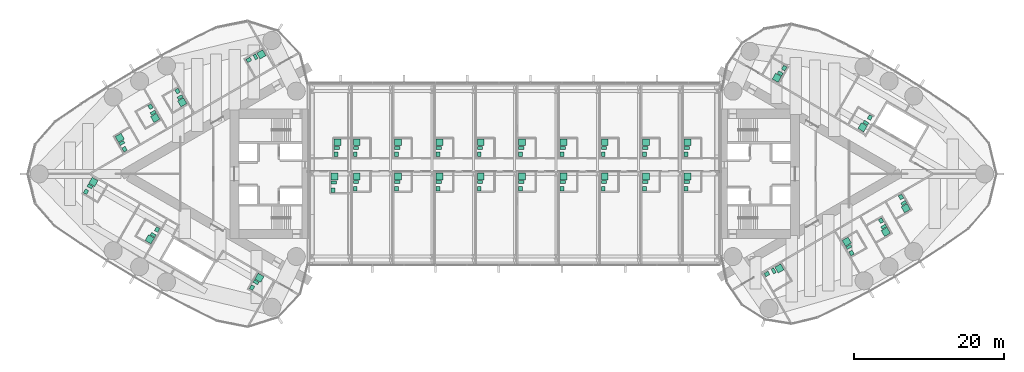
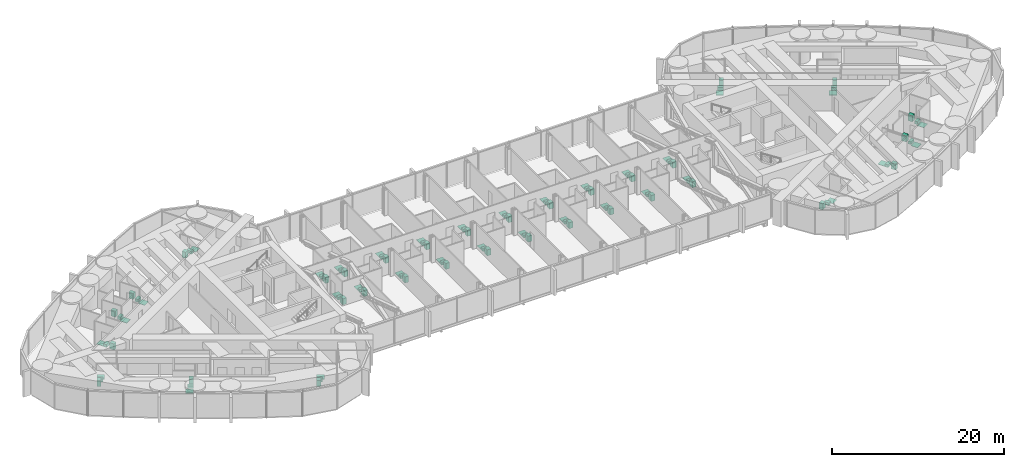
# One storey, part 23 of 23: 39 sanitary terminals.
"""IFC4 building model written with IfcOpenShell, lengths in metres."""

from ifc_helpers import new_model, si_unit, direction, frame, origin, origin_2d, place, context, subcontext, project, spatial, rectangle, extrude, material, type_object, element, save


model = new_model("IFC4")

# Units and contexts
model_context = context("Model", 3, precision=1e-05, world=origin(), true_north=direction((0.0, 1.0)))
body_context = subcontext(model_context, "Body", "Model", "MODEL_VIEW")
ifc_project = project(units=[si_unit("LENGTHUNIT", "METRE"), si_unit("AREAUNIT", "SQUARE_METRE"), si_unit("VOLUMEUNIT", "CUBIC_METRE"), si_unit("PLANEANGLEUNIT", "RADIAN"), si_unit("MASSUNIT", "GRAM", prefix="KILO")], contexts=[model_context])

# Site, building, storey
site_placement = place(None, origin())
site = spatial("IfcSite", under=ifc_project, at=site_placement, CompositionType="ELEMENT")
building_placement = place(site_placement, origin())
building = spatial("IfcBuilding", under=site, at=building_placement, Name="Lancet Gate Hotel", CompositionType="ELEMENT")
storey_placement = place(building_placement, frame((0.0, 0.0, 222.5)))
storey = spatial("IfcBuildingStorey", under=building, at=storey_placement, Name="L59", CompositionType="ELEMENT", Elevation=222.5)

# Sanitary terminals
ifc_material_1 = material(Name="Vitreous china sanitary ware")
sanitary_terminal_type_1 = type_object("IfcSanitaryTerminalType", Name="En-suite sanitary set (shower, WC, basin)", PredefinedType="USERDEFINED", material=ifc_material_1)
sanitary_terminal_1_placement = place(storey_placement, frame((-44.22412109375, 9.51708984375, 0.0), z_axis=(0.0, 0.0, 1.0), x_axis=(1.0, 0.0, 0.0)))
element("IfcSanitaryTerminal", 1, at=sanitary_terminal_1_placement, inside=storey, type_object=sanitary_terminal_type_1, Name="En-suite sanitary set (shower, WC, basin) 5903", ObjectType="EN-SUITE SANITARY SET", PredefinedType="USERDEFINED", context=body_context, shape_type="SweptSolid", body=[
    extrude(rectangle(XDim=0.89990234375, YDim=0.89990234375, at=origin_2d()), frame((0.0, 0.0, 0.0), z_axis=(0.0, 0.0, 1.0), x_axis=(0.5, -0.866025403784, 0.0)), (0.0, 0.0, 1.0), 0.050048828125),
    extrude(rectangle(XDim=0.39990234375, YDim=0.699951171875, at=origin_2d()), frame((-0.2783203125, 0.682373046875, 0.0), z_axis=(0.0, 0.0, 1.0), x_axis=(0.5, -0.866025403784, 0.0)), (0.0, 0.0, 1.0), 0.39990234375),
    extrude(rectangle(XDim=0.60009765625, YDim=0.5, at=origin_2d()), frame((-0.631591796875, 1.494384765625, 0.0), z_axis=(0.0, 0.0, 1.0), x_axis=(0.5, -0.866025403784, 0.0)), (0.0, 0.0, 1.0), 0.85009765625),
])
sanitary_terminal_2_placement = place(storey_placement, frame((-47.817138671875, 7.442626953125, 0.0), z_axis=(0.0, 0.0, 1.0), x_axis=(1.0, 0.0, 0.0)))
element("IfcSanitaryTerminal", 2, at=sanitary_terminal_2_placement, inside=storey, type_object=sanitary_terminal_type_1, Name="En-suite sanitary set (shower, WC, basin) 5904", ObjectType="EN-SUITE SANITARY SET", PredefinedType="USERDEFINED", context=body_context, shape_type="SweptSolid", body=[
    extrude(rectangle(XDim=0.89990234375, YDim=0.89990234375, at=origin_2d()), frame((0.0, 0.0, 0.0), z_axis=(0.0, 0.0, 1.0), x_axis=(0.5, -0.866025403784, 0.0)), (0.0, 0.0, 1.0), 0.050048828125),
    extrude(rectangle(XDim=0.39990234375, YDim=0.699951171875, at=origin_2d()), frame((-0.278564453125, 0.68212890625, 0.0), z_axis=(0.0, 0.0, 1.0), x_axis=(0.5, -0.866025403784, 0.0)), (0.0, 0.0, 1.0), 0.39990234375),
    extrude(rectangle(XDim=0.60009765625, YDim=0.5, at=origin_2d()), frame((-0.6318359375, 1.494384765625, 0.0), z_axis=(0.0, 0.0, 1.0), x_axis=(0.5, -0.866025403784, 0.0)), (0.0, 0.0, 1.0), 0.85009765625),
])
sanitary_terminal_3_placement = place(storey_placement, frame((-52.531005859375, 4.790283203125, 0.0), z_axis=(0.0, 0.0, 1.0), x_axis=(1.0, 0.0, 0.0)))
element("IfcSanitaryTerminal", 3, at=sanitary_terminal_3_placement, inside=storey, type_object=sanitary_terminal_type_1, Name="En-suite sanitary set (shower, WC, basin) 5905", ObjectType="EN-SUITE SANITARY SET", PredefinedType="USERDEFINED", context=body_context, shape_type="SweptSolid", body=[
    extrude(rectangle(XDim=0.89990234375, YDim=0.89990234375, at=origin_2d()), frame((0.0, 0.0, 0.0), z_axis=(0.0, 0.0, 1.0), x_axis=(-0.5, 0.866025403784, 0.0)), (0.0, 0.0, 1.0), 0.050048828125),
    extrude(rectangle(XDim=0.39990234375, YDim=0.699951171875, at=origin_2d()), frame((0.2783203125, -0.68212890625, 0.0), z_axis=(0.0, 0.0, 1.0), x_axis=(-0.5, 0.866025403784, 0.0)), (0.0, 0.0, 1.0), 0.39990234375),
    extrude(rectangle(XDim=0.60009765625, YDim=0.5, at=origin_2d()), frame((0.631591796875, -1.494384765625, 0.0), z_axis=(0.0, 0.0, 1.0), x_axis=(-0.5, 0.866025403784, 0.0)), (0.0, 0.0, 1.0), 0.85009765625),
])
sanitary_terminal_4_placement = place(storey_placement, frame((-56.0458984375, -1.0751953125, 0.0), z_axis=(0.0, 0.0, 1.0), x_axis=(1.0, 0.0, 0.0)))
element("IfcSanitaryTerminal", 4, at=sanitary_terminal_4_placement, inside=storey, type_object=sanitary_terminal_type_1, Name="En-suite sanitary set (shower, WC, basin) 5906", ObjectType="EN-SUITE SANITARY SET", PredefinedType="USERDEFINED", context=body_context, shape_type="SweptSolid", body=[
    extrude(rectangle(XDim=0.89990234375, YDim=0.89990234375, at=origin_2d()), frame((0.0, 0.0, 0.0), z_axis=(0.0, 0.0, 1.0), x_axis=(0.5, 0.866025403784, 0.0)), (0.0, 0.0, 1.0), 0.050048828125),
    extrude(rectangle(XDim=0.39990234375, YDim=0.699951171875, at=origin_2d()), frame((-0.45166015625, -0.582275390625, 0.0), z_axis=(0.0, 0.0, 1.0), x_axis=(0.5, 0.866025403784, 0.0)), (0.0, 0.0, 1.0), 0.39990234375),
    extrude(rectangle(XDim=0.60009765625, YDim=0.5, at=origin_2d()), frame((-0.978271484375, -1.294189453125, 0.0), z_axis=(0.0, 0.0, 1.0), x_axis=(0.5, 0.866025403784, 0.0)), (0.0, 0.0, 1.0), 0.85009765625),
])
sanitary_terminal_5_placement = place(storey_placement, frame((-48.547119140625, -8.70703125, 0.0), z_axis=(0.0, 0.0, 1.0), x_axis=(1.0, 0.0, 0.0)))
element("IfcSanitaryTerminal", 5, at=sanitary_terminal_5_placement, inside=storey, type_object=sanitary_terminal_type_1, Name="En-suite sanitary set (shower, WC, basin) 5907", ObjectType="EN-SUITE SANITARY SET", PredefinedType="USERDEFINED", context=body_context, shape_type="SweptSolid", body=[
    extrude(rectangle(XDim=0.89990234375, YDim=0.89990234375, at=origin_2d()), frame((0.0, 0.0, 0.0), z_axis=(0.0, 0.0, 1.0), x_axis=(-0.5, -0.866025403784, 0.0)), (0.0, 0.0, 1.0), 0.050048828125),
    extrude(rectangle(XDim=0.39990234375, YDim=0.699951171875, at=origin_2d()), frame((0.451416015625, 0.582275390625, 0.0), z_axis=(0.0, 0.0, 1.0), x_axis=(-0.5, -0.866025403784, 0.0)), (0.0, 0.0, 1.0), 0.39990234375),
    extrude(rectangle(XDim=0.60009765625, YDim=0.5, at=origin_2d()), frame((0.97802734375, 1.29443359375, 0.0), z_axis=(0.0, 0.0, 1.0), x_axis=(-0.5, -0.866025403784, 0.0)), (0.0, 0.0, 1.0), 0.85009765625),
])
sanitary_terminal_6_placement = place(storey_placement, frame((-33.95654296875, -13.82861328125, 0.0), z_axis=(0.0, 0.0, 1.0), x_axis=(1.0, 0.0, 0.0)))
element("IfcSanitaryTerminal", 6, at=sanitary_terminal_6_placement, inside=storey, type_object=sanitary_terminal_type_1, Name="En-suite sanitary set (shower, WC, basin) 5909", ObjectType="EN-SUITE SANITARY SET", PredefinedType="USERDEFINED", context=body_context, shape_type="SweptSolid", body=[
    extrude(rectangle(XDim=0.89990234375, YDim=0.89990234375, at=origin_2d()), frame((0.0, 0.0, 0.0), z_axis=(0.0, 0.0, 1.0), x_axis=(0.5, 0.866025403784, 0.0)), (0.0, 0.0, 1.0), 0.050048828125),
    extrude(rectangle(XDim=0.39990234375, YDim=0.699951171875, at=origin_2d()), frame((-0.45166015625, -0.582275390625, 0.0), z_axis=(0.0, 0.0, 1.0), x_axis=(0.5, 0.866025403784, 0.0)), (0.0, 0.0, 1.0), 0.39990234375),
    extrude(rectangle(XDim=0.60009765625, YDim=0.5, at=origin_2d()), frame((-0.978271484375, -1.294189453125, 0.0), z_axis=(0.0, 0.0, 1.0), x_axis=(0.5, 0.866025403784, 0.0)), (0.0, 0.0, 1.0), 0.85009765625),
])
sanitary_terminal_7_placement = place(storey_placement, frame((44.203125, -9.029296875, 0.0), z_axis=(0.0, 0.0, 1.0), x_axis=(1.0, 0.0, 0.0)))
element("IfcSanitaryTerminal", 7, at=sanitary_terminal_7_placement, inside=storey, type_object=sanitary_terminal_type_1, Name="En-suite sanitary set (shower, WC, basin) 5953", ObjectType="EN-SUITE SANITARY SET", PredefinedType="USERDEFINED", context=body_context, shape_type="SweptSolid", body=[
    extrude(rectangle(XDim=0.89990234375, YDim=0.89990234375, at=origin_2d()), frame((0.0, 0.0, 0.0), z_axis=(0.0, 0.0, 1.0), x_axis=(-0.5, 0.866025403784, 0.0)), (0.0, 0.0, 1.0), 0.050048828125),
    extrude(rectangle(XDim=0.39990234375, YDim=0.699951171875, at=origin_2d()), frame((0.278564453125, -0.68212890625, 0.0), z_axis=(0.0, 0.0, 1.0), x_axis=(-0.5, 0.866025403784, 0.0)), (0.0, 0.0, 1.0), 0.39990234375),
    extrude(rectangle(XDim=0.60009765625, YDim=0.5, at=origin_2d()), frame((0.6318359375, -1.494140625, 0.0), z_axis=(0.0, 0.0, 1.0), x_axis=(-0.5, 0.866025403784, 0.0)), (0.0, 0.0, 1.0), 0.85009765625),
])
sanitary_terminal_8_placement = place(storey_placement, frame((49.3876953125, -7.7216796875, 0.0), z_axis=(0.0, 0.0, 1.0), x_axis=(1.0, 0.0, 0.0)))
element("IfcSanitaryTerminal", 8, at=sanitary_terminal_8_placement, inside=storey, type_object=sanitary_terminal_type_1, Name="En-suite sanitary set (shower, WC, basin) 5954", ObjectType="EN-SUITE SANITARY SET", PredefinedType="USERDEFINED", context=body_context, shape_type="SweptSolid", body=[
    extrude(rectangle(XDim=0.89990234375, YDim=0.89990234375, at=origin_2d()), frame((0.0, 0.0, 0.0), z_axis=(0.0, 0.0, 1.0), x_axis=(0.5, -0.866025403784, 0.0)), (0.0, 0.0, 1.0), 0.050048828125),
    extrude(rectangle(XDim=0.39990234375, YDim=0.699951171875, at=origin_2d()), frame((-0.278564453125, 0.68212890625, 0.0), z_axis=(0.0, 0.0, 1.0), x_axis=(0.5, -0.866025403784, 0.0)), (0.0, 0.0, 1.0), 0.39990234375),
    extrude(rectangle(XDim=0.60009765625, YDim=0.5, at=origin_2d()), frame((-0.6318359375, 1.494140625, 0.0), z_axis=(0.0, 0.0, 1.0), x_axis=(0.5, -0.866025403784, 0.0)), (0.0, 0.0, 1.0), 0.85009765625),
])
sanitary_terminal_9_placement = place(storey_placement, frame((52.0498046875, -4.568115234375, 0.0), z_axis=(0.0, 0.0, 1.0), x_axis=(1.0, 0.0, 0.0)))
element("IfcSanitaryTerminal", 9, at=sanitary_terminal_9_placement, inside=storey, type_object=sanitary_terminal_type_1, Name="En-suite sanitary set (shower, WC, basin) 5955", ObjectType="EN-SUITE SANITARY SET", PredefinedType="USERDEFINED", context=body_context, shape_type="SweptSolid", body=[
    extrude(rectangle(XDim=0.89990234375, YDim=0.89990234375, at=origin_2d()), frame((0.0, 0.0, 0.0), z_axis=(0.0, 0.0, 1.0), x_axis=(0.5, -0.866025403784, 0.0)), (0.0, 0.0, 1.0), 0.050048828125),
    extrude(rectangle(XDim=0.39990234375, YDim=0.699951171875, at=origin_2d()), frame((-0.2783203125, 0.68212890625, 0.0), z_axis=(0.0, 0.0, 1.0), x_axis=(0.5, -0.866025403784, 0.0)), (0.0, 0.0, 1.0), 0.39990234375),
    extrude(rectangle(XDim=0.60009765625, YDim=0.5, at=origin_2d()), frame((-0.631591796875, 1.494140625, 0.0), z_axis=(0.0, 0.0, 1.0), x_axis=(0.5, -0.866025403784, 0.0)), (0.0, 0.0, 1.0), 0.85009765625),
])
sanitary_terminal_10_placement = place(storey_placement, frame((46.296875, 6.203857421875, 0.0), z_axis=(0.0, 0.0, 1.0), x_axis=(1.0, 0.0, 0.0)))
element("IfcSanitaryTerminal", 10, at=sanitary_terminal_10_placement, inside=storey, type_object=sanitary_terminal_type_1, Name="En-suite sanitary set (shower, WC, basin) 5958", ObjectType="EN-SUITE SANITARY SET", PredefinedType="USERDEFINED", context=body_context, shape_type="SweptSolid", body=[
    extrude(rectangle(XDim=0.89990234375, YDim=0.89990234375, at=origin_2d()), frame((0.0, 0.0, 0.0), z_axis=(0.0, 0.0, 1.0), x_axis=(-0.5, -0.866025403784, 0.0)), (0.0, 0.0, 1.0), 0.050048828125),
    extrude(rectangle(XDim=0.39990234375, YDim=0.699951171875, at=origin_2d()), frame((0.451416015625, 0.582275390625, 0.0), z_axis=(0.0, 0.0, 1.0), x_axis=(-0.5, -0.866025403784, 0.0)), (0.0, 0.0, 1.0), 0.39990234375),
    extrude(rectangle(XDim=0.60009765625, YDim=0.5, at=origin_2d()), frame((0.97802734375, 1.29443359375, 0.0), z_axis=(0.0, 0.0, 1.0), x_axis=(-0.5, -0.866025403784, 0.0)), (0.0, 0.0, 1.0), 0.85009765625),
])
sanitary_terminal_11_placement = place(storey_placement, frame((34.894775390625, 12.786865234375, 0.0), z_axis=(0.0, 0.0, 1.0), x_axis=(1.0, 0.0, 0.0)))
element("IfcSanitaryTerminal", 11, at=sanitary_terminal_11_placement, inside=storey, type_object=sanitary_terminal_type_1, Name="En-suite sanitary set (shower, WC, basin) 5959", ObjectType="EN-SUITE SANITARY SET", PredefinedType="USERDEFINED", context=body_context, shape_type="SweptSolid", body=[
    extrude(rectangle(XDim=0.89990234375, YDim=0.89990234375, at=origin_2d()), frame((0.0, 0.0, 0.0), z_axis=(0.0, 0.0, 1.0), x_axis=(-0.5, -0.866025403784, 0.0)), (0.0, 0.0, 1.0), 0.050048828125),
    extrude(rectangle(XDim=0.39990234375, YDim=0.699951171875, at=origin_2d()), frame((0.45166015625, 0.58203125, 0.0), z_axis=(0.0, 0.0, 1.0), x_axis=(-0.5, -0.866025403784, 0.0)), (0.0, 0.0, 1.0), 0.39990234375),
    extrude(rectangle(XDim=0.60009765625, YDim=0.5, at=origin_2d()), frame((0.978271484375, 1.294189453125, 0.0), z_axis=(0.0, 0.0, 1.0), x_axis=(-0.5, -0.866025403784, 0.0)), (0.0, 0.0, 1.0), 0.85009765625),
])
for number, where, z_axis, x_axis, name in (
    (12, (-21.0048828125, -0.344970703125, 0.0), (0.0, 0.0, 1.0), (1.0, 0.0, 0.0), "En-suite sanitary set (shower, WC, basin) B5902"),
    (13, (-15.5048828125, -0.344970703125, 0.0), (0.0, 0.0, 1.0), (1.0, 0.0, 0.0), "En-suite sanitary set (shower, WC, basin) B5903"),
    (14, (-10.0048828125, -0.344970703125, 0.0), (0.0, 0.0, 1.0), (1.0, 0.0, 0.0), "En-suite sanitary set (shower, WC, basin) B5904"),
    (15, (-4.5048828125, -0.344970703125, 0.0), (0.0, 0.0, 1.0), (1.0, 0.0, 0.0), "En-suite sanitary set (shower, WC, basin) B5905"),
    (16, (0.9951171875, -0.344970703125, 0.0), (0.0, 0.0, 1.0), (1.0, 0.0, 0.0), "En-suite sanitary set (shower, WC, basin) B5906"),
    (17, (6.4951171875, -0.344970703125, 0.0), (0.0, 0.0, 1.0), (1.0, 0.0, 0.0), "En-suite sanitary set (shower, WC, basin) B5907"),
    (18, (11.9951171875, -0.344970703125, 0.0), (0.0, 0.0, 1.0), (1.0, 0.0, 0.0), "En-suite sanitary set (shower, WC, basin) B5908"),
    (19, (17.4951171875, -0.344970703125, 0.0), (0.0, 0.0, 1.0), (1.0, 0.0, 0.0), "En-suite sanitary set (shower, WC, basin) B5909"),
    (20, (22.9951171875, -0.344970703125, 0.0), (0.0, 0.0, 1.0), (1.0, 0.0, 0.0), "En-suite sanitary set (shower, WC, basin) B5910"),
):
    element("IfcSanitaryTerminal", number, at=place(storey_placement, frame(where, z_axis=z_axis, x_axis=x_axis)), inside=storey, type_object=sanitary_terminal_type_1, Name=name, ObjectType="EN-SUITE SANITARY SET", PredefinedType="USERDEFINED", context=body_context, shape_type="SweptSolid", body=[
        extrude(rectangle(XDim=0.89990234375, YDim=0.89990234375, at=origin_2d()), frame((0.0, 0.0, 0.0), z_axis=(0.0, 0.0, 1.0), x_axis=(0.0, 1.0, 0.0)), (0.0, 0.0, 1.0), 0.050048828125),
        extrude(rectangle(XDim=0.39990234375, YDim=0.699951171875, at=origin_2d()), frame((-0.10009765625, -0.72998046875, 0.0), z_axis=(0.0, 0.0, 1.0), x_axis=(0.0, 1.0, 0.0)), (0.0, 0.0, 1.0), 0.39990234375),
        extrude(rectangle(XDim=0.60009765625, YDim=0.5, at=origin_2d()), frame((-0.2001953125, -1.610107421875, 0.0), z_axis=(0.0, 0.0, 1.0), x_axis=(0.0, 1.0, 0.0)), (0.0, 0.0, 1.0), 0.85009765625),
    ])
sanitary_terminal_12_placement = place(storey_placement, frame((-23.554931640625, 4.205078125, 0.0), z_axis=(0.0, 0.0, 1.0), x_axis=(1.0, 0.0, 0.0)))
element("IfcSanitaryTerminal", 21, at=sanitary_terminal_12_placement, inside=storey, type_object=sanitary_terminal_type_1, Name="En-suite sanitary set (shower, WC, basin) B5911", ObjectType="EN-SUITE SANITARY SET", PredefinedType="USERDEFINED", context=body_context, shape_type="SweptSolid", body=[
    extrude(rectangle(XDim=0.89990234375, YDim=0.89990234375, at=origin_2d()), frame((0.0, 0.0, 0.0), z_axis=(0.0, 0.0, 1.0), x_axis=(0.0, 1.0, 0.0)), (0.0, 0.0, 1.0), 0.050048828125),
    extrude(rectangle(XDim=0.39990234375, YDim=0.699951171875, at=origin_2d()), frame((-0.10009765625, -0.72998046875, 0.0), z_axis=(0.0, 0.0, 1.0), x_axis=(0.0, 1.0, 0.0)), (0.0, 0.0, 1.0), 0.39990234375),
    extrude(rectangle(XDim=0.60009765625, YDim=0.5, at=origin_2d()), frame((-0.199951171875, -1.610107421875, 0.0), z_axis=(0.0, 0.0, 1.0), x_axis=(0.0, 1.0, 0.0)), (0.0, 0.0, 1.0), 0.85009765625),
])
for number, where, z_axis, x_axis, name in (
    (22, (-21.0048828125, 4.205078125, 0.0), (0.0, 0.0, 1.0), (1.0, 0.0, 0.0), "En-suite sanitary set (shower, WC, basin) B5912"),
    (23, (-15.5048828125, 4.205078125, 0.0), (0.0, 0.0, 1.0), (1.0, 0.0, 0.0), "En-suite sanitary set (shower, WC, basin) B5913"),
    (24, (-10.0048828125, 4.205078125, 0.0), (0.0, 0.0, 1.0), (1.0, 0.0, 0.0), "En-suite sanitary set (shower, WC, basin) B5914"),
    (25, (-4.5048828125, 4.205078125, 0.0), (0.0, 0.0, 1.0), (1.0, 0.0, 0.0), "En-suite sanitary set (shower, WC, basin) B5915"),
    (26, (0.9951171875, 4.205078125, 0.0), (0.0, 0.0, 1.0), (1.0, 0.0, 0.0), "En-suite sanitary set (shower, WC, basin) B5916"),
    (27, (6.4951171875, 4.205078125, 0.0), (0.0, 0.0, 1.0), (1.0, 0.0, 0.0), "En-suite sanitary set (shower, WC, basin) B5917"),
    (28, (11.9951171875, 4.205078125, 0.0), (0.0, 0.0, 1.0), (1.0, 0.0, 0.0), "En-suite sanitary set (shower, WC, basin) B5918"),
    (29, (17.4951171875, 4.205078125, 0.0), (0.0, 0.0, 1.0), (1.0, 0.0, 0.0), "En-suite sanitary set (shower, WC, basin) B5919"),
    (30, (22.9951171875, 4.205078125, 0.0), (0.0, 0.0, 1.0), (1.0, 0.0, 0.0), "En-suite sanitary set (shower, WC, basin) B5920"),
):
    element("IfcSanitaryTerminal", number, at=place(storey_placement, frame(where, z_axis=z_axis, x_axis=x_axis)), inside=storey, type_object=sanitary_terminal_type_1, Name=name, ObjectType="EN-SUITE SANITARY SET", PredefinedType="USERDEFINED", context=body_context, shape_type="SweptSolid", body=[
        extrude(rectangle(XDim=0.89990234375, YDim=0.89990234375, at=origin_2d()), frame((0.0, 0.0, 0.0), z_axis=(0.0, 0.0, 1.0), x_axis=(0.0, 1.0, 0.0)), (0.0, 0.0, 1.0), 0.050048828125),
        extrude(rectangle(XDim=0.39990234375, YDim=0.699951171875, at=origin_2d()), frame((-0.10009765625, -0.72998046875, 0.0), z_axis=(0.0, 0.0, 1.0), x_axis=(0.0, 1.0, 0.0)), (0.0, 0.0, 1.0), 0.39990234375),
        extrude(rectangle(XDim=0.60009765625, YDim=0.5, at=origin_2d()), frame((-0.2001953125, -1.610107421875, 0.0), z_axis=(0.0, 0.0, 1.0), x_axis=(0.0, 1.0, 0.0)), (0.0, 0.0, 1.0), 0.85009765625),
    ])
ifc_material_2 = material(Name="Stone resin shower tray", Category="masonry")
sanitary_terminal_type_2 = type_object("IfcSanitaryTerminalType", Name="Shower tray 900", PredefinedType="SHOWER", material=ifc_material_2)
for number, where, z_axis, x_axis, name in (
    (31, (-33.6953125, 15.896240234375, 0.0), (0.0, 0.0, 1.0), (0.866025403784, 0.5, 0.0), "Shower tray 900 5902"),
    (32, (35.2412109375, -12.5869140625, 0.0), (0.0, 0.0, 1.0), (0.866025403784, 0.5, 0.0), "Shower tray 900 5952"),
    (33, (-23.955078125, -0.344970703125, 0.0), (0.0, 0.0, 1.0), (0.0, 1.0, 0.0), "Shower tray 900 B5901"),
):
    element("IfcSanitaryTerminal", number, at=place(storey_placement, frame(where, z_axis=z_axis, x_axis=x_axis)), inside=storey, type_object=sanitary_terminal_type_2, Name=name, PredefinedType="SHOWER", context=body_context, shape_type="SweptSolid", body=[
        extrude(rectangle(XDim=0.89990234375, YDim=0.89990234375, at=origin_2d()), origin(), (0.0, 0.0, 1.0), 0.050048828125),
    ])
ifc_material_3 = material(Name="Vitreous china sanitary ware")
sanitary_terminal_type_3 = type_object("IfcSanitaryTerminalType", Name="Vanity basin 600", PredefinedType="WASHHANDBASIN", material=ifc_material_3)
for number, where, z_axis, x_axis, name in (
    (34, (-35.36279296875, 15.164306640625, 0.0), (0.0, 0.0, 1.0), (0.866025403784, 0.5, 0.0), "Vanity basin 600 5902"),
    (35, (33.57373046875, -13.318603515625, 0.0), (0.0, 0.0, 1.0), (0.866025403784, 0.5, 0.0), "Vanity basin 600 5952"),
    (36, (-24.155029296875, -2.155029296875, 0.0), (0.0, 0.0, 1.0), (0.0, 1.0, 0.0), "Vanity basin 600 B5901"),
):
    element("IfcSanitaryTerminal", number, at=place(storey_placement, frame(where, z_axis=z_axis, x_axis=x_axis)), inside=storey, type_object=sanitary_terminal_type_3, Name=name, PredefinedType="WASHHANDBASIN", context=body_context, shape_type="SweptSolid", body=[
        extrude(rectangle(XDim=0.60009765625, YDim=0.5, at=origin_2d()), origin(), (0.0, 0.0, 1.0), 0.85009765625),
    ])
ifc_material_4 = material(Name="Vitreous china sanitary ware")
sanitary_terminal_type_4 = type_object("IfcSanitaryTerminalType", Name="WC pan wall hung", PredefinedType="TOILETPAN", material=ifc_material_4)
for number, where, z_axis, x_axis, name in (
    (37, (-34.464111328125, 15.56787109375, 0.0), (0.0, 0.0, 1.0), (0.866025403784, 0.5, 0.0), "WC pan wall hung 5902"),
    (38, (34.472412109375, -12.915283203125, 0.0), (0.0, 0.0, 1.0), (0.866025403784, 0.5, 0.0), "WC pan wall hung 5952"),
    (39, (-24.054931640625, -1.175048828125, 0.0), (0.0, 0.0, 1.0), (0.0, 1.0, 0.0), "WC pan wall hung B5901"),
):
    element("IfcSanitaryTerminal", number, at=place(storey_placement, frame(where, z_axis=z_axis, x_axis=x_axis)), inside=storey, type_object=sanitary_terminal_type_4, Name=name, PredefinedType="TOILETPAN", context=body_context, shape_type="SweptSolid", body=[
        extrude(rectangle(XDim=0.39990234375, YDim=0.699951171875, at=origin_2d()), origin(), (0.0, 0.0, 1.0), 0.39990234375),
    ])

save(model, "model.ifc")
